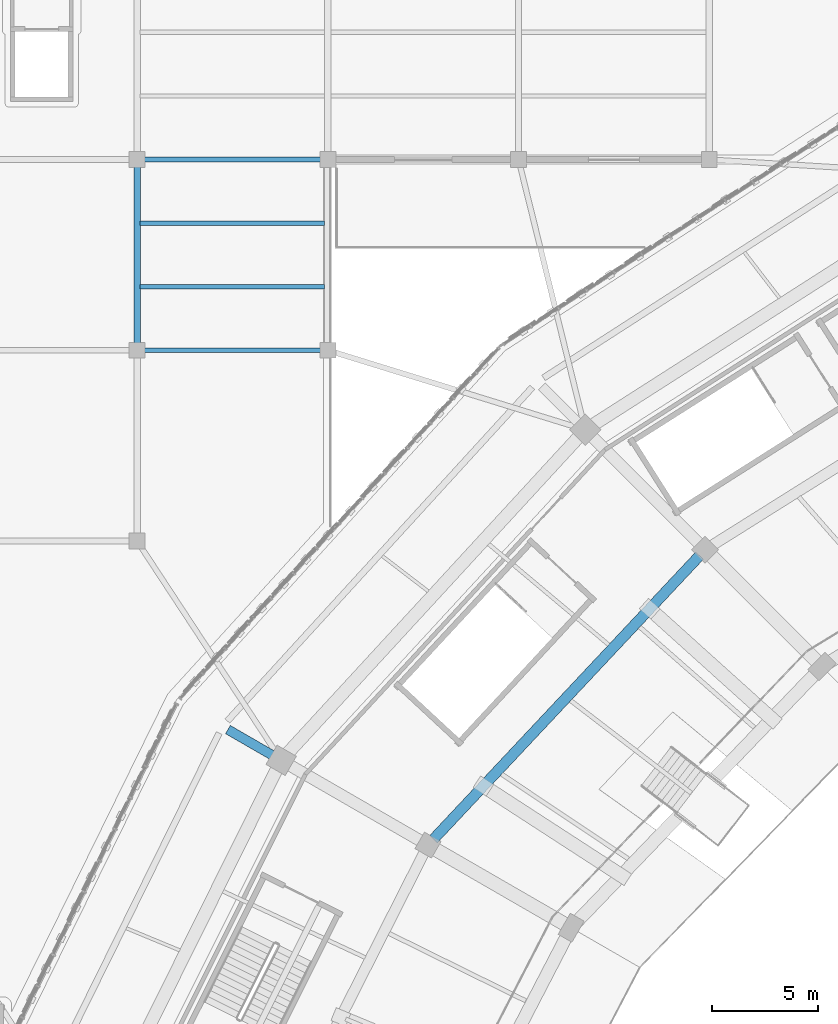
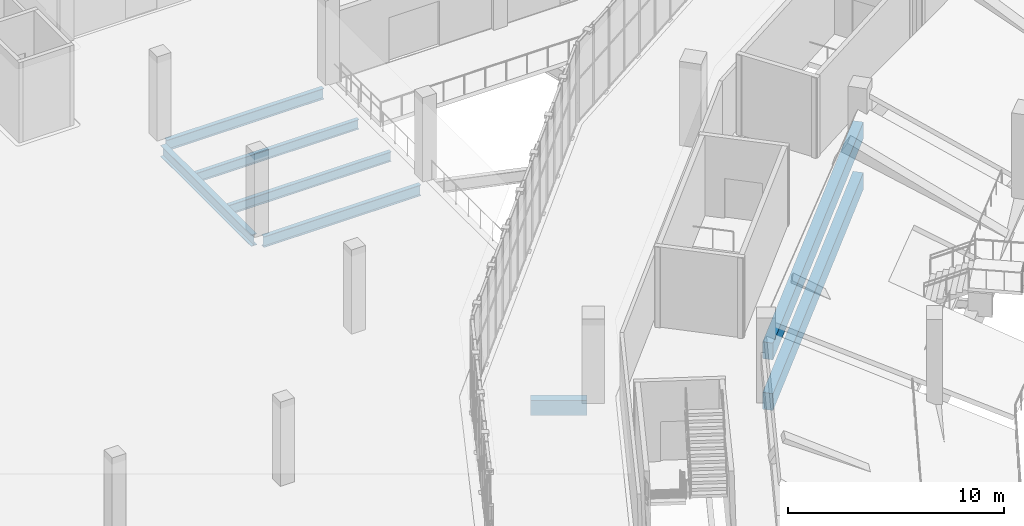
# One storey, part 45 of 152: 8 beams.
"""IFC4 building model written with IfcOpenShell, lengths in metres."""

import ifcopenshell
import ifcopenshell.guid

model = None  # the IFC model being written
_history = None  # IfcOwnerHistory: only IFC2X3 demands one
_inside = {}  # id of a spatial element -> (the spatial element, [elements in it])
_under = {}  # id of a project, library or spatial element -> (it, [spatial elements below it])
_declared = {}  # id of a project -> (the project, [libraries it declares])
_typed = {}  # id of a type object -> (the type object, [elements of that type])
_made_of = {}  # id of a material, layer set ... -> (it, [elements and type objects made of it])


def new_model(schema):
    """Start an empty IFC model of exactly this schema.

    Asked for "IFC4X3", IfcOpenShell would pick the latest addendum, in which some entities
    have other attributes; the version numbers below select the first issue.
    IFC2X3 requires an IfcOwnerHistory on every rooted entity: one is made here for all.
    """
    global model, _history
    if schema == "IFC4X3":
        model = ifcopenshell.file(schema_version=(4, 3, 0, 0))
    else:
        model = ifcopenshell.file(schema=schema)
    _inside.clear()
    _under.clear()
    _declared.clear()
    _typed.clear()
    _made_of.clear()
    _history = None
    if model.schema == "IFC2X3":
        org = make("IfcOrganization", Name="unknown")
        user = make(
            "IfcPersonAndOrganization",
            ThePerson=make("IfcPerson", FamilyName="unknown"),
            TheOrganization=org,
        )
        app = make(
            "IfcApplication",
            ApplicationDeveloper=org,
            Version="unknown",
            ApplicationFullName="unknown",
            ApplicationIdentifier="unknown",
        )
        _history = make(
            "IfcOwnerHistory",
            OwningUser=user,
            OwningApplication=app,
            ChangeAction="ADDED",
            CreationDate=0,
        )
    return model


def make(cls, **values):
    """One entity of the class cls with the attributes given. An attribute that is None is left unset."""
    return model.create_entity(
        cls, **{name: value for name, value in values.items() if value is not None}
    )


def rooted(cls, **values):
    """An entity with a GlobalId (a new one), such as an element, a storey or a relation."""
    return make(cls, GlobalId=ifcopenshell.guid.new(), OwnerHistory=_history, **values)


def si_unit(unit_type, name, prefix=None):
    """IfcSIUnit, for example si_unit("LENGTHUNIT", "METRE", prefix="MILLI")."""
    return make("IfcSIUnit", UnitType=unit_type, Prefix=prefix, Name=name)


def assignment(units):
    """IfcUnitAssignment: the units of a project."""
    return None if units is None else make("IfcUnitAssignment", Units=units)


def point(xyz):
    """IfcCartesianPoint."""
    return None if xyz is None else make("IfcCartesianPoint", Coordinates=xyz)


def direction(xyz):
    """IfcDirection."""
    return None if xyz is None else make("IfcDirection", DirectionRatios=xyz)


def frame(location, z_axis=None, x_axis=None):
    """IfcAxis2Placement3D, a coordinate frame: its origin and axes. An axis left out is left unset."""
    return make(
        "IfcAxis2Placement3D",
        Location=point(location),
        Axis=direction(z_axis),
        RefDirection=direction(x_axis),
    )


def frame_2d(location, x_axis=None):
    """IfcAxis2Placement2D, a coordinate frame in the plane: its origin and x axis."""
    return make(
        "IfcAxis2Placement2D", Location=point(location), RefDirection=direction(x_axis)
    )


def origin():
    """The frame at (0, 0, 0) with its axes left unset."""
    return frame((0.0, 0.0, 0.0))


def origin_2d():
    """The frame at (0, 0) in the plane with its x axis left unset."""
    return frame_2d((0.0, 0.0))


def place(relative_to, where):
    """IfcLocalPlacement: puts the frame where relative to a parent placement (None: the world)."""
    return make(
        "IfcLocalPlacement", PlacementRelTo=relative_to, RelativePlacement=where
    )


def context(
    kind, dimensions, precision=None, world=None, true_north=None, identifier=None
):
    """IfcGeometricRepresentationContext, for example the 3D "Model" context."""
    return make(
        "IfcGeometricRepresentationContext",
        ContextIdentifier=identifier,
        ContextType=kind,
        CoordinateSpaceDimension=dimensions,
        Precision=precision,
        WorldCoordinateSystem=world,
        TrueNorth=true_north,
    )


def subcontext(parent, identifier, kind, view, scale=None):
    """IfcGeometricRepresentationSubContext, for example "Body" below "Model"."""
    return make(
        "IfcGeometricRepresentationSubContext",
        ContextIdentifier=identifier,
        ContextType=kind,
        ParentContext=parent,
        TargetScale=scale,
        TargetView=view,
    )


def project(units=None, contexts=None):
    """IfcProject with its units and contexts."""
    return rooted(
        "IfcProject",
        Name="project",
        RepresentationContexts=contexts,
        UnitsInContext=assignment(units),
    )


def spatial(cls, under=None, at=None, **own):
    """A site, building, storey or space (cls), placed at a placement, below another one or the project."""
    s = rooted(cls, ObjectPlacement=at, **own)
    if under is not None:
        _under.setdefault(under.id(), (under, []))[1].append(s)
    return s


def profile(cls, at=None, kind="AREA", **sizes):
    """A parametric profile (cls). Its sizes go by their IFC names, for example OverallWidth=200.0."""
    return make(cls, ProfileType=kind, Position=at, **sizes)


def rectangle(**sizes):
    """IfcRectangleProfileDef."""
    return profile("IfcRectangleProfileDef", **sizes)


def i_section(**sizes):
    """IfcIShapeProfileDef."""
    return profile("IfcIShapeProfileDef", **sizes)


def extrude(swept, where, along, depth):
    """IfcExtrudedAreaSolid: the profile swept, set in the frame where, extruded along a direction by depth."""
    return make(
        "IfcExtrudedAreaSolid",
        SweptArea=swept,
        Position=where,
        ExtrudedDirection=direction(along),
        Depth=depth,
    )


def shape(context_of_items, identifier, shape_type, items):
    """IfcShapeRepresentation: the items that make up one representation, for example the "Body"."""
    return make(
        "IfcShapeRepresentation",
        ContextOfItems=context_of_items,
        RepresentationIdentifier=identifier,
        RepresentationType=shape_type,
        Items=items,
    )


def material(Name=None, Category=None):
    """IfcMaterial."""
    return make("IfcMaterial", Name=Name, Category=Category)


def material_profile(
    of_material, cross_section, Name=None, Category=None, Priority=None
):
    """IfcMaterialProfile: a cross section and its material."""
    return make(
        "IfcMaterialProfile",
        Name=Name,
        Material=of_material,
        Profile=cross_section,
        Priority=Priority,
        Category=Category,
    )


def profile_set(profiles, Name=None, composite=None):
    """IfcMaterialProfileSet."""
    return make(
        "IfcMaterialProfileSet",
        Name=Name,
        MaterialProfiles=profiles,
        CompositeProfile=composite,
    )


def made_of(thing, what):
    """Note that an element or type object is made of a material, layer set ...; save() writes the relation."""
    if what is not None:
        _made_of.setdefault(what.id(), (what, []))[1].append(thing)
    return thing


def type_object(cls, material=None, **own):
    """A type object (cls), such as IfcWallType, which elements share."""
    return made_of(rooted(cls, **own), material)


def element(
    cls,
    number,
    at=None,
    inside=None,
    cuts=None,
    type_object=None,
    material=None,
    context=None,
    identifier="Body",
    shape_type=None,
    held_by="IfcProductDefinitionShape",
    body=None,
    shapes=None,
    **own,
):
    """One element of the class cls, such as IfcWall. Its Tag is "e" and its number.

    at: its placement. inside: the storey or other place that contains it. cuts: it is an
    opening in that element (IfcRelVoidsElement). A single representation is given by context,
    identifier, shape_type and body (its items); several are given by shapes. held_by: the class
    of the entity that holds the representations. save() writes the other relations.
    """
    e = rooted(cls, Tag="e%d" % number, ObjectPlacement=at, **own)
    if body is not None:
        shapes = [shape(context, identifier, shape_type, body)]
    if shapes is not None:
        e.Representation = make(held_by, Representations=shapes)
    if inside is not None:
        _inside.setdefault(inside.id(), (inside, []))[1].append(e)
    if cuts is not None:
        rooted(
            "IfcRelVoidsElement", RelatingBuildingElement=cuts, RelatedOpeningElement=e
        )
    if type_object is not None:
        _typed.setdefault(type_object.id(), (type_object, []))[1].append(e)
    return made_of(e, material)


def aggregate(whole, parts):
    """IfcRelAggregates: a whole, such as a stair, and the parts it consists of."""
    return rooted("IfcRelAggregates", RelatingObject=whole, RelatedObjects=parts)


def save(model, path):
    """Write the relations noted so far, then the file.

    IfcRelAggregates (storeys below a building ...), IfcRelContainedInSpatialStructure (elements
    in a storey), IfcRelDefinesByType, IfcRelAssociatesMaterial and IfcRelDeclares: one each for
    every whole, place, type object, material and project.
    """
    for whole, parts in _under.values():
        aggregate(whole, parts)
    for where, things in _inside.values():
        rooted(
            "IfcRelContainedInSpatialStructure",
            RelatedElements=things,
            RelatingStructure=where,
        )
    for kind, things in _typed.values():
        rooted("IfcRelDefinesByType", RelatedObjects=things, RelatingType=kind)
    for what, things in _made_of.values():
        rooted("IfcRelAssociatesMaterial", RelatedObjects=things, RelatingMaterial=what)
    for by, libraries in _declared.values():
        rooted("IfcRelDeclares", RelatingContext=by, RelatedDefinitions=libraries)
    model.write(path)


model = new_model("IFC4")

# Units and contexts
model_context = context("Model", 3, precision=1e-05, world=origin(), true_north=direction((0.0, 1.0)))
body_context = subcontext(model_context, "Body", "Model", "MODEL_VIEW")
ifc_project = project(units=[si_unit("LENGTHUNIT", "METRE"), si_unit("AREAUNIT", "SQUARE_METRE"), si_unit("VOLUMEUNIT", "CUBIC_METRE"), si_unit("PLANEANGLEUNIT", "RADIAN"), si_unit("MASSUNIT", "GRAM", prefix="KILO")], contexts=[model_context])

# Site, building, storey
site_placement = place(None, origin())
site = spatial("IfcSite", under=ifc_project, at=site_placement, CompositionType="ELEMENT")
building_placement = place(site_placement, origin())
building = spatial("IfcBuilding", under=site, at=building_placement, Name="Zevraka Park Crest Stadium", CompositionType="ELEMENT")
storey_placement = place(building_placement, frame((0.0, 0.0, 15.0)))
storey = spatial("IfcBuildingStorey", under=building, at=storey_placement, Name="L03", CompositionType="ELEMENT", Elevation=15.0)

# Beams
ifc_material_1 = material(Name="Concrete C40/50", Category="concrete")
ifc_material_profile_1 = material_profile(ifc_material_1, rectangle(XDim=0.449951171875, YDim=0.85009765625, at=origin_2d()), Name="RC 850x450")
ifc_profile_set_1 = profile_set([ifc_material_profile_1], Name="Concrete C40/50")
beam_type_1 = type_object("IfcBeamType", Name="BG03", PredefinedType="BEAM", material=ifc_profile_set_1)
beam_1_placement = place(storey_placement, frame((33.5380859375, 129.800048828125, -0.43505859375), z_axis=(-0.865950948929, 0.500128937424, 0.0), x_axis=(-0.500128937424, -0.865950948929, 0.0)))
element("IfcBeam", 1, at=beam_1_placement, inside=storey, type_object=beam_type_1, Name="Radial Girder BG03 L03-DE-10", PredefinedType="BEAM", context=body_context, shape_type="SweptSolid", body=[
    extrude(rectangle(XDim=0.449951171875, YDim=0.85009765625, at=origin_2d()), origin(), (0.0, 0.0, 1.0), 2.599365234375),
])
ifc_material_2 = material(Name="Steel S355", Category="steel")
ifc_material_profile_2 = material_profile(ifc_material_2, i_section(OverallWidth=0.300048828125, OverallDepth=0.64990234375, WebThickness=0.01611328125, FlangeThickness=0.031005859375, at=origin_2d()), Name="HEB 650")
ifc_profile_set_2 = profile_set([ifc_material_profile_2], Name="Steel S355")
beam_type_2 = type_object("IfcBeamType", Name="BG07", PredefinedType="BEAM", material=ifc_profile_set_2)
beam_2_placement = place(storey_placement, frame((27.0, 149.300048828125, -0.633056640625), z_axis=(0.0, 1.0, 0.0), x_axis=(-1.0, 0.0, 0.0)))
element("IfcBeam", 2, at=beam_2_placement, inside=storey, type_object=beam_type_2, Name="Wing Girder BG07 L03-4/ST", PredefinedType="BEAM", context=body_context, shape_type="SweptSolid", body=[
    extrude(i_section(OverallWidth=0.300048828125, OverallDepth=0.64990234375, WebThickness=0.01611328125, FlangeThickness=0.031005859375, at=origin_2d()), origin(), (0.0, 0.0, 1.0), 8.39990234375),
])
ifc_material_3 = material(Name="Steel S355", Category="steel")
ifc_material_profile_3 = material_profile(ifc_material_3, i_section(OverallWidth=0.22900390625, OverallDepth=0.612060546875, WebThickness=0.011962890625, FlangeThickness=0.01953125, at=origin_2d()), Name="UKB 610x229x125")
ifc_profile_set_3 = profile_set([ifc_material_profile_3], Name="Steel S355")
beam_type_3 = type_object("IfcBeamType", Name="BG09", PredefinedType="BEAM", material=ifc_profile_set_3)
for number, where, z_axis, x_axis, name in (
    (3, (27.300048828125, 149.0, -0.614013671875), (1.0, 0.0, 0.0), (0.0, 1.0, 0.0), "Wing Girder BG09 L03-45/S"),
    (4, (27.300048828125, 158.0, -0.614013671875), (1.0, 0.0, 0.0), (0.0, 1.0, 0.0), "Wing Girder BG09 L03-45/T"),
):
    element("IfcBeam", number, at=place(storey_placement, frame(where, z_axis=z_axis, x_axis=x_axis)), inside=storey, type_object=beam_type_3, Name=name, PredefinedType="BEAM", context=body_context, shape_type="SweptSolid", body=[
        extrude(i_section(OverallWidth=0.22900390625, OverallDepth=0.612060546875, WebThickness=0.011962890625, FlangeThickness=0.01953125, at=origin_2d()), origin(), (0.0, 0.0, 1.0), 8.39990234375),
    ])
ifc_material_4 = material(Name="Concrete C40/50", Category="concrete")
ifc_material_profile_4 = material_profile(ifc_material_4, rectangle(XDim=0.5, YDim=0.949951171875, at=origin_2d()), Name="RC 950x500")
ifc_profile_set_4 = profile_set([ifc_material_profile_4], Name="Concrete C40/50")
beam_type_4 = type_object("IfcBeamType", Name="RB02", PredefinedType="BEAM", material=ifc_profile_set_4)
for number, where, z_axis, x_axis, name in (
    (5, (53.544921875, 139.31103515625, -0.485107421875), (-0.684268936493, -0.729229746068, 0.0), (0.729229746068, -0.684268936493, 0.0), "Ring Beam RB02 L03-C-09"),
    (6, (53.544921875, 139.31103515625, 2.375), (-0.684268936493, -0.729229746068, 0.0), (0.729229746068, -0.684268936493, 0.0), "Upper Tier Head Raker Ring Beam RB02 09"),
):
    element("IfcBeam", number, at=place(storey_placement, frame(where, z_axis=z_axis, x_axis=x_axis)), inside=storey, type_object=beam_type_4, Name=name, PredefinedType="BEAM", context=body_context, shape_type="SweptSolid", body=[
        extrude(rectangle(XDim=0.5, YDim=0.949951171875, at=origin_2d()), origin(), (0.0, 0.0, 1.0), 18.353759765625),
    ])
ifc_material_5 = material(Name="Steel S355", Category="steel")
ifc_material_profile_5 = material_profile(ifc_material_5, i_section(OverallWidth=0.2099609375, OverallDepth=0.550048828125, WebThickness=0.010986328125, FlangeThickness=0.01708984375, at=origin_2d()), Name="IPE 550")
ifc_profile_set_5 = profile_set([ifc_material_profile_5], Name="Steel S355")
beam_type_5 = type_object("IfcBeamType", Name="SJ04", PredefinedType="JOIST", material=ifc_profile_set_5)
for number, where, z_axis, x_axis, name in (
    (7, (27.14501953125, 152.0, -0.5849609375), (1.0, 0.0, 0.0), (0.0, 1.0, 0.0), "Wing Joist SJ04 L03-4/S-1"),
    (8, (27.14501953125, 155.0, -0.5849609375), (1.0, 0.0, 0.0), (0.0, 1.0, 0.0), "Wing Joist SJ04 L03-4/S-2"),
):
    element("IfcBeam", number, at=place(storey_placement, frame(where, z_axis=z_axis, x_axis=x_axis)), inside=storey, type_object=beam_type_5, Name=name, PredefinedType="JOIST", context=body_context, shape_type="SweptSolid", body=[
        extrude(i_section(OverallWidth=0.2099609375, OverallDepth=0.550048828125, WebThickness=0.010986328125, FlangeThickness=0.01708984375, at=origin_2d()), origin(), (0.0, 0.0, 1.0), 8.7099609375),
    ])

save(model, "model.ifc")
